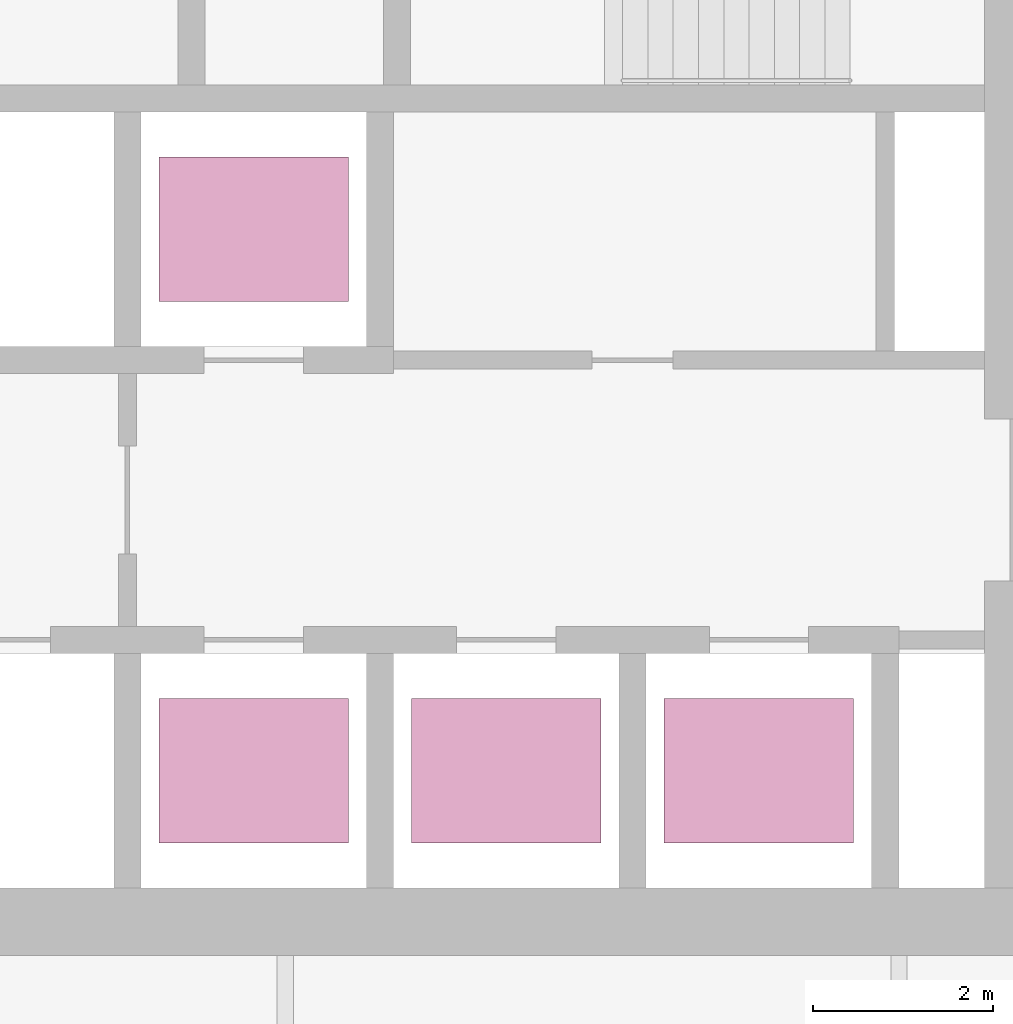
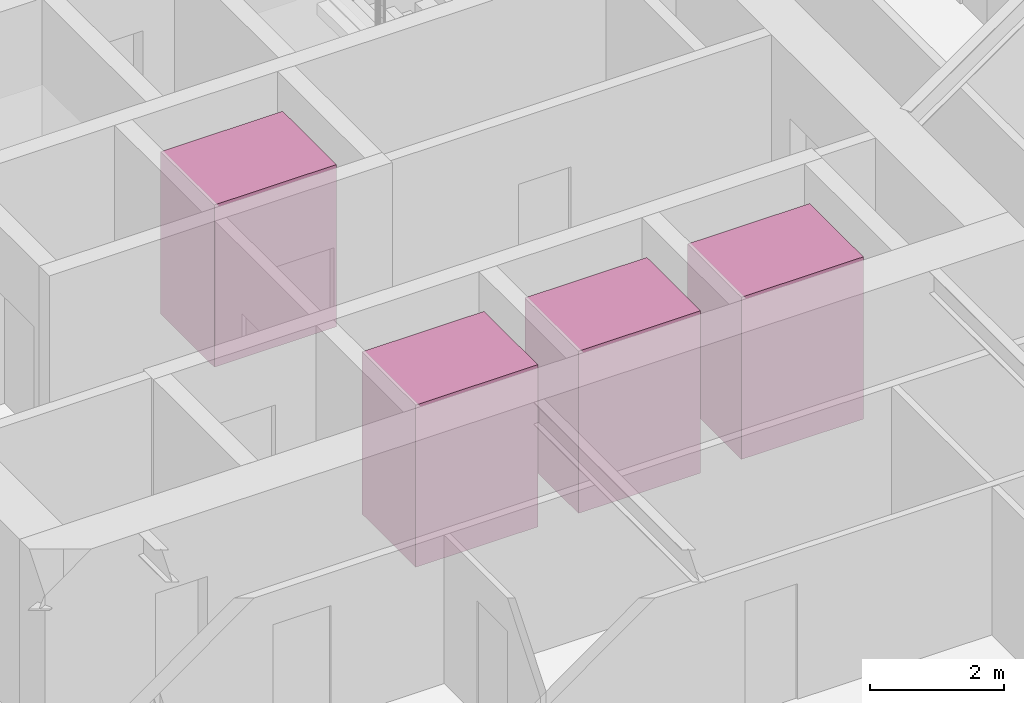
# One storey, part 19 of 19: 4 transport elements.
"""IFC4 building model written with IfcOpenShell, lengths in metres."""

from ifc_helpers import new_model, si_unit, direction, frame, origin, origin_2d, place, context, subcontext, project, spatial, rectangle, extrude, material, type_object, element, save


model = new_model("IFC4")

# Units and contexts
model_context = context("Model", 3, precision=1e-05, world=origin(), true_north=direction((0.0, 1.0)))
body_context = subcontext(model_context, "Body", "Model", "MODEL_VIEW")
ifc_project = project(units=[si_unit("LENGTHUNIT", "METRE"), si_unit("AREAUNIT", "SQUARE_METRE"), si_unit("VOLUMEUNIT", "CUBIC_METRE"), si_unit("PLANEANGLEUNIT", "RADIAN"), si_unit("MASSUNIT", "GRAM", prefix="KILO")], contexts=[model_context])

# Site, building, storey
site_placement = place(None, origin())
site = spatial("IfcSite", under=ifc_project, at=site_placement, CompositionType="ELEMENT")
building_placement = place(site_placement, origin())
building = spatial("IfcBuilding", under=site, at=building_placement, Name="Firuza Gate Tower and Library", CompositionType="ELEMENT")
storey_placement = place(building_placement, frame((0.0, 0.0, 256.60009765625)))
storey = spatial("IfcBuildingStorey", under=building, at=storey_placement, Name="L60", CompositionType="ELEMENT", Elevation=256.60009765625)

# Transport elements
ifc_material = material(Name="Stainless steel and glass", Category="steel")
transport_element_type = type_object("IfcTransportElementType", Name="High-rise lift car 2100x1600", PredefinedType="ELEVATOR", material=ifc_material)
for number, where, z_axis, x_axis, name in (
    (1, (74.64990234375, 70.300048828125, 0.0), (0.0, 0.0, 1.0), (1.0, 0.0, 0.0), "High-rise lift HR1"),
    (2, (77.449951171875, 70.300048828125, 0.0), (0.0, 0.0, 1.0), (1.0, 0.0, 0.0), "High-rise lift HR2"),
    (3, (80.25, 70.300048828125, 0.0), (0.0, 0.0, 1.0), (1.0, 0.0, 0.0), "High-rise lift HR3"),
    (4, (74.64990234375, 76.300048828125, 0.0), (0.0, 0.0, 1.0), (1.0, 0.0, 0.0), "High-rise lift HR4"),
):
    element("IfcTransportElement", number, at=place(storey_placement, frame(where, z_axis=z_axis, x_axis=x_axis)), inside=storey, type_object=transport_element_type, Name=name, PredefinedType="ELEVATOR", context=body_context, shape_type="SweptSolid", body=[
        extrude(rectangle(XDim=2.10009765625, YDim=1.60009765625, at=origin_2d()), origin(), (0.0, 0.0, 1.0), 2.949951171875),
    ])

save(model, "model.ifc")
